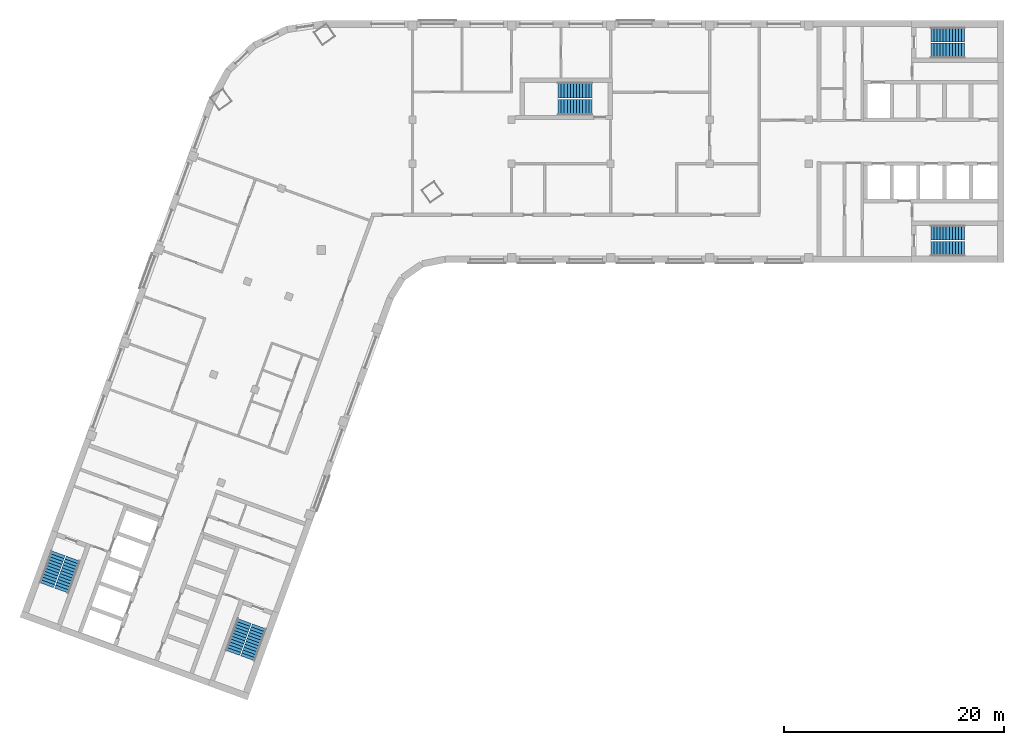
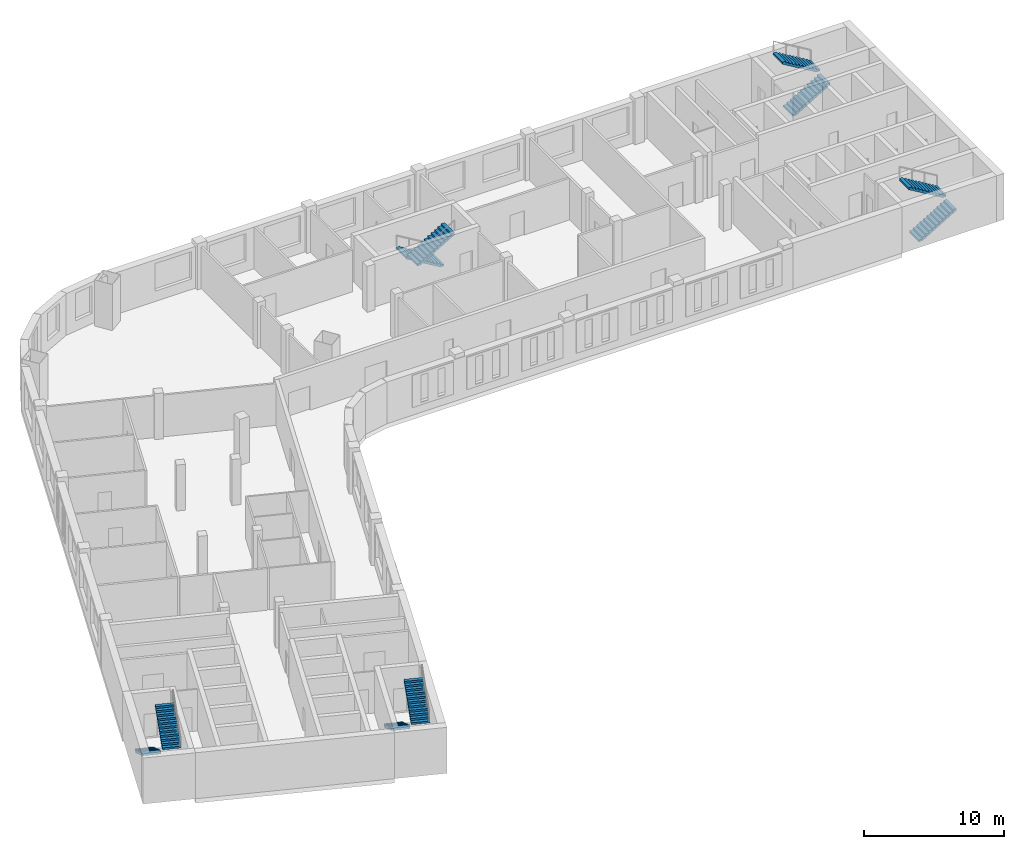
# One storey, part 7 of 8: 10 stair flights, 5 elements without a shape of their own.
"""IFC4 building model written with IfcOpenShell, lengths in metres."""

from ifc_helpers import new_model, si_unit, direction, frame, origin, place, context, subcontext, project, spatial, polyline, outline, extrude, material, type_object, element, aggregate, save


model = new_model("IFC4")

# Units and contexts
model_context = context("Model", 3, precision=1e-05, world=origin(), true_north=direction((0.0, 1.0)))
body_context = subcontext(model_context, "Body", "Model", "MODEL_VIEW")
ifc_project = project(units=[si_unit("LENGTHUNIT", "METRE"), si_unit("AREAUNIT", "SQUARE_METRE"), si_unit("VOLUMEUNIT", "CUBIC_METRE"), si_unit("PLANEANGLEUNIT", "RADIAN"), si_unit("MASSUNIT", "GRAM", prefix="KILO")], contexts=[model_context])

# Site, building, storey
site_placement = place(None, origin())
site = spatial("IfcSite", under=ifc_project, at=site_placement, CompositionType="ELEMENT")
building_placement = place(site_placement, origin())
building = spatial("IfcBuilding", under=site, at=building_placement, Name="Skarvind Civic Tower", CompositionType="ELEMENT")
storey_placement = place(building_placement, frame((0.0, 0.0, 162.5)))
storey = spatial("IfcBuildingStorey", under=building, at=storey_placement, Name="L38", CompositionType="ELEMENT", Elevation=162.5)

# Stair, stair flights
ifc_material = material(Name="Concrete C40/50", Category="concrete")
stair_type_1 = type_object("IfcStairType", Name="Exit stair 1450, half-turn, concrete", PredefinedType="HALF_TURN_STAIR", material=ifc_material)
stair_1_placement = place(storey_placement, origin())
stair_1 = element("IfcStair", 1, at=stair_1_placement, inside=storey, type_object=stair_type_1, Name="Exit stair CM", PredefinedType="HALF_TURN_STAIR")
stair_flight_type_1 = type_object("IfcStairFlightType", Name="Stair flight 1450, concrete", PredefinedType="STRAIGHT", material=ifc_material)
stair_flight_1_placement = place(storey_placement, frame((70.550048828125, 132.675048828125, 0.0), z_axis=(0.0, 0.0, 1.0), x_axis=(-1.0, 0.0, 0.0)))
stair_flight_1 = element("IfcStairFlight", 2, at=stair_flight_1_placement, type_object=stair_flight_type_1, Name="ST-CM flight 1", NumberOfRisers=12, NumberOfTreads=11, PredefinedType="STRAIGHT", RiserHeight=0.166666667, TreadLength=0.28, context=body_context, shape_type="SweptSolid", body=[
    extrude(outline(polyline([(0.0, 0.0), (0.0, 0.166748046875), (0.280029296875, 0.166748046875), (0.280029296875, 0.333251953125), (0.56005859375, 0.333251953125), (0.56005859375, 0.5), (0.840087890625, 0.5), (0.840087890625, 0.666748046875), (1.1201171875, 0.666748046875), (1.1201171875, 0.833251953125), (1.39990234375, 0.833251953125), (1.39990234375, 1.0), (1.679931640625, 1.0), (1.679931640625, 1.166748046875), (1.9599609375, 1.166748046875), (1.9599609375, 1.333251953125), (2.239990234375, 1.333251953125), (2.239990234375, 1.5), (2.52001953125, 1.5), (2.52001953125, 1.666748046875), (2.800048828125, 1.666748046875), (2.800048828125, 1.833251953125), (3.080078125, 1.833251953125), (3.080078125, 2.0), (3.080078125, 1.658935546875), (0.29296875, 0.0), (0.0, 0.0)])), frame((0.0, 0.72509765625, 0.0), z_axis=(0.0, -1.0, 0.0), x_axis=(1.0, 0.0, 0.0)), (0.0, 0.0, 1.0), 1.449951171875),
])
stair_flight_2_placement = place(storey_placement, frame((67.469970703125, 131.125, 2.0), z_axis=(0.0, 0.0, 1.0), x_axis=(1.0, 0.0, 0.0)))
stair_flight_2 = element("IfcStairFlight", 3, at=stair_flight_2_placement, type_object=stair_flight_type_1, Name="ST-CM flight 2", NumberOfRisers=12, NumberOfTreads=11, PredefinedType="STRAIGHT", RiserHeight=0.166666667, TreadLength=0.28, context=body_context, shape_type="SweptSolid", body=[
    extrude(outline(polyline([(0.0, 0.0), (0.0, 0.166748046875), (0.280029296875, 0.166748046875), (0.280029296875, 0.333251953125), (0.56005859375, 0.333251953125), (0.56005859375, 0.5), (0.840087890625, 0.5), (0.840087890625, 0.666748046875), (1.1201171875, 0.666748046875), (1.1201171875, 0.833251953125), (1.39990234375, 0.833251953125), (1.39990234375, 1.0), (1.679931640625, 1.0), (1.679931640625, 1.166748046875), (1.9599609375, 1.166748046875), (1.9599609375, 1.333251953125), (2.239990234375, 1.333251953125), (2.239990234375, 1.5), (2.52001953125, 1.5), (2.52001953125, 1.666748046875), (2.800048828125, 1.666748046875), (2.800048828125, 1.833251953125), (3.080078125, 1.833251953125), (3.080078125, 2.0), (3.080078125, 1.658935546875), (0.29296875, 0.0), (0.0, 0.0)])), frame((0.0, 0.72509765625, 0.0), z_axis=(0.0, -1.0, 0.0), x_axis=(1.0, 0.0, 0.0)), (0.0, 0.0, 1.0), 1.449951171875),
])
aggregate(stair_1, [stair_flight_1, stair_flight_2])

stair_type_2 = type_object("IfcStairType", Name="Exit stair, half-turn, concrete", PredefinedType="HALF_TURN_STAIR", material=ifc_material)
stair_2_placement = place(storey_placement, origin())
stair_2 = element("IfcStair", 4, at=stair_2_placement, inside=storey, type_object=stair_type_2, Name="Exit stair C1S", PredefinedType="HALF_TURN_STAIR")
stair_flight_type_2 = type_object("IfcStairFlightType", Name="Stair flight, concrete", PredefinedType="STRAIGHT", material=ifc_material)
stair_flight_3_placement = place(storey_placement, frame((101.35009765625, 136.27490234375, 0.0), z_axis=(0.0, 0.0, 1.0), x_axis=(1.0, 0.0, 0.0)))
stair_flight_3 = element("IfcStairFlight", 5, at=stair_flight_3_placement, type_object=stair_flight_type_2, Name="ST-C1S flight 1", NumberOfRisers=12, NumberOfTreads=11, PredefinedType="STRAIGHT", RiserHeight=0.166666667, TreadLength=0.28, context=body_context, shape_type="SweptSolid", body=[
    extrude(outline(polyline([(0.0, 0.0), (0.0, 0.166748046875), (0.280029296875, 0.166748046875), (0.280029296875, 0.333251953125), (0.56005859375, 0.333251953125), (0.56005859375, 0.5), (0.840087890625, 0.5), (0.840087890625, 0.666748046875), (1.1201171875, 0.666748046875), (1.1201171875, 0.833251953125), (1.39990234375, 0.833251953125), (1.39990234375, 1.0), (1.679931640625, 1.0), (1.679931640625, 1.166748046875), (1.9599609375, 1.166748046875), (1.9599609375, 1.333251953125), (2.239990234375, 1.333251953125), (2.239990234375, 1.5), (2.52001953125, 1.5), (2.52001953125, 1.666748046875), (2.800048828125, 1.666748046875), (2.800048828125, 1.833251953125), (3.080078125, 1.833251953125), (3.080078125, 2.0), (3.080078125, 1.658935546875), (0.29296875, 0.0), (0.0, 0.0)])), frame((0.0, 0.675048828125, 0.0), z_axis=(0.0, -1.0, 0.0), x_axis=(1.0, 0.0, 0.0)), (0.0, 0.0, 1.0), 1.35009765625),
])
stair_flight_4_placement = place(storey_placement, frame((104.429931640625, 137.72509765625, 2.0), z_axis=(0.0, 0.0, 1.0), x_axis=(-1.0, 0.0, 0.0)))
stair_flight_4 = element("IfcStairFlight", 6, at=stair_flight_4_placement, type_object=stair_flight_type_2, Name="ST-C1S flight 2", NumberOfRisers=12, NumberOfTreads=11, PredefinedType="STRAIGHT", RiserHeight=0.166666667, TreadLength=0.28, context=body_context, shape_type="SweptSolid", body=[
    extrude(outline(polyline([(0.0, 0.0), (0.0, 0.166748046875), (0.280029296875, 0.166748046875), (0.280029296875, 0.333251953125), (0.56005859375, 0.333251953125), (0.56005859375, 0.5), (0.840087890625, 0.5), (0.840087890625, 0.666748046875), (1.1201171875, 0.666748046875), (1.1201171875, 0.833251953125), (1.39990234375, 0.833251953125), (1.39990234375, 1.0), (1.679931640625, 1.0), (1.679931640625, 1.166748046875), (1.9599609375, 1.166748046875), (1.9599609375, 1.333251953125), (2.239990234375, 1.333251953125), (2.239990234375, 1.5), (2.52001953125, 1.5), (2.52001953125, 1.666748046875), (2.800048828125, 1.666748046875), (2.800048828125, 1.833251953125), (3.080078125, 1.833251953125), (3.080078125, 2.0), (3.080078125, 1.658935546875), (0.29296875, 0.0), (0.0, 0.0)])), frame((0.0, 0.675048828125, 0.0), z_axis=(0.0, -1.0, 0.0), x_axis=(1.0, 0.0, 0.0)), (0.0, 0.0, 1.0), 1.35009765625),
])
aggregate(stair_2, [stair_flight_3, stair_flight_4])

stair_3_placement = place(storey_placement, origin())
stair_3 = element("IfcStair", 7, at=stair_3_placement, inside=storey, type_object=stair_type_2, Name="Exit stair C1N", PredefinedType="HALF_TURN_STAIR")
stair_flight_5_placement = place(storey_placement, frame((101.35009765625, 118.27490234375, 0.0), z_axis=(0.0, 0.0, 1.0), x_axis=(1.0, 0.0, 0.0)))
stair_flight_5 = element("IfcStairFlight", 8, at=stair_flight_5_placement, type_object=stair_flight_type_2, Name="ST-C1N flight 1", NumberOfRisers=12, NumberOfTreads=11, PredefinedType="STRAIGHT", RiserHeight=0.166666667, TreadLength=0.28, context=body_context, shape_type="SweptSolid", body=[
    extrude(outline(polyline([(0.0, 0.0), (0.0, 0.166748046875), (0.280029296875, 0.166748046875), (0.280029296875, 0.333251953125), (0.56005859375, 0.333251953125), (0.56005859375, 0.5), (0.840087890625, 0.5), (0.840087890625, 0.666748046875), (1.1201171875, 0.666748046875), (1.1201171875, 0.833251953125), (1.39990234375, 0.833251953125), (1.39990234375, 1.0), (1.679931640625, 1.0), (1.679931640625, 1.166748046875), (1.9599609375, 1.166748046875), (1.9599609375, 1.333251953125), (2.239990234375, 1.333251953125), (2.239990234375, 1.5), (2.52001953125, 1.5), (2.52001953125, 1.666748046875), (2.800048828125, 1.666748046875), (2.800048828125, 1.833251953125), (3.080078125, 1.833251953125), (3.080078125, 2.0), (3.080078125, 1.658935546875), (0.29296875, 0.0), (0.0, 0.0)])), frame((0.0, 0.675048828125, 0.0), z_axis=(0.0, -1.0, 0.0), x_axis=(1.0, 0.0, 0.0)), (0.0, 0.0, 1.0), 1.35009765625),
])
stair_flight_6_placement = place(storey_placement, frame((104.429931640625, 119.72509765625, 2.0), z_axis=(0.0, 0.0, 1.0), x_axis=(-1.0, 0.0, 0.0)))
stair_flight_6 = element("IfcStairFlight", 9, at=stair_flight_6_placement, type_object=stair_flight_type_2, Name="ST-C1N flight 2", NumberOfRisers=12, NumberOfTreads=11, PredefinedType="STRAIGHT", RiserHeight=0.166666667, TreadLength=0.28, context=body_context, shape_type="SweptSolid", body=[
    extrude(outline(polyline([(0.0, 0.0), (0.0, 0.166748046875), (0.280029296875, 0.166748046875), (0.280029296875, 0.333251953125), (0.56005859375, 0.333251953125), (0.56005859375, 0.5), (0.840087890625, 0.5), (0.840087890625, 0.666748046875), (1.1201171875, 0.666748046875), (1.1201171875, 0.833251953125), (1.39990234375, 0.833251953125), (1.39990234375, 1.0), (1.679931640625, 1.0), (1.679931640625, 1.166748046875), (1.9599609375, 1.166748046875), (1.9599609375, 1.333251953125), (2.239990234375, 1.333251953125), (2.239990234375, 1.5), (2.52001953125, 1.5), (2.52001953125, 1.666748046875), (2.800048828125, 1.666748046875), (2.800048828125, 1.833251953125), (3.080078125, 1.833251953125), (3.080078125, 2.0), (3.080078125, 1.658935546875), (0.29296875, 0.0), (0.0, 0.0)])), frame((0.0, 0.675048828125, 0.0), z_axis=(0.0, -1.0, 0.0), x_axis=(1.0, 0.0, 0.0)), (0.0, 0.0, 1.0), 1.35009765625),
])
aggregate(stair_3, [stair_flight_5, stair_flight_6])

stair_4_placement = place(storey_placement, origin())
stair_4 = element("IfcStair", 10, at=stair_4_placement, inside=storey, type_object=stair_type_2, Name="Exit stair C2S", PredefinedType="HALF_TURN_STAIR")
stair_flight_7_placement = place(storey_placement, frame((38.949462890625, 84.43408203125, 0.0), z_axis=(0.0, 0.0, 1.0), x_axis=(-0.342020143326, -0.939692620786, 0.0)))
stair_flight_7 = element("IfcStairFlight", 11, at=stair_flight_7_placement, type_object=stair_flight_type_2, Name="ST-C2S flight 1", NumberOfRisers=12, NumberOfTreads=11, PredefinedType="STRAIGHT", RiserHeight=0.166666667, TreadLength=0.28, context=body_context, shape_type="SweptSolid", body=[
    extrude(outline(polyline([(0.0, 0.0), (0.0, 0.166748046875), (0.280029296875, 0.166748046875), (0.280029296875, 0.333251953125), (0.56005859375, 0.333251953125), (0.56005859375, 0.5), (0.840087890625, 0.5), (0.840087890625, 0.666748046875), (1.1201171875, 0.666748046875), (1.1201171875, 0.833251953125), (1.39990234375, 0.833251953125), (1.39990234375, 1.0), (1.679931640625, 1.0), (1.679931640625, 1.166748046875), (1.9599609375, 1.166748046875), (1.9599609375, 1.333251953125), (2.239990234375, 1.333251953125), (2.239990234375, 1.5), (2.52001953125, 1.5), (2.52001953125, 1.666748046875), (2.800048828125, 1.666748046875), (2.800048828125, 1.833251953125), (3.080078125, 1.833251953125), (3.080078125, 2.0), (3.080078125, 1.658935546875), (0.29296875, 0.0), (0.0, 0.0)])), frame((0.0, 0.675048828125, 0.0), z_axis=(0.0, -1.0, 0.0), x_axis=(1.0, 0.0, 0.0)), (0.0, 0.0, 1.0), 1.35009765625),
])
stair_flight_8_placement = place(storey_placement, frame((39.258544921875, 81.0439453125, 2.0), z_axis=(0.0, 0.0, 1.0), x_axis=(0.342020143326, 0.939692620786, 0.0)))
stair_flight_8 = element("IfcStairFlight", 12, at=stair_flight_8_placement, type_object=stair_flight_type_2, Name="ST-C2S flight 2", NumberOfRisers=12, NumberOfTreads=11, PredefinedType="STRAIGHT", RiserHeight=0.166666667, TreadLength=0.28, context=body_context, shape_type="SweptSolid", body=[
    extrude(outline(polyline([(0.0, 0.0), (0.0, 0.166748046875), (0.280029296875, 0.166748046875), (0.280029296875, 0.333251953125), (0.56005859375, 0.333251953125), (0.56005859375, 0.5), (0.840087890625, 0.5), (0.840087890625, 0.666748046875), (1.1201171875, 0.666748046875), (1.1201171875, 0.833251953125), (1.39990234375, 0.833251953125), (1.39990234375, 1.0), (1.679931640625, 1.0), (1.679931640625, 1.166748046875), (1.9599609375, 1.166748046875), (1.9599609375, 1.333251953125), (2.239990234375, 1.333251953125), (2.239990234375, 1.5), (2.52001953125, 1.5), (2.52001953125, 1.666748046875), (2.800048828125, 1.666748046875), (2.800048828125, 1.833251953125), (3.080078125, 1.833251953125), (3.080078125, 2.0), (3.080078125, 1.658935546875), (0.29296875, 0.0), (0.0, 0.0)])), frame((0.0, 0.675048828125, 0.0), z_axis=(0.0, -1.0, 0.0), x_axis=(1.0, 0.0, 0.0)), (0.0, 0.0, 1.0), 1.35009765625),
])
aggregate(stair_4, [stair_flight_7, stair_flight_8])

stair_5_placement = place(storey_placement, origin())
stair_5 = element("IfcStair", 13, at=stair_5_placement, inside=storey, type_object=stair_type_2, Name="Exit stair C2N", PredefinedType="HALF_TURN_STAIR")
stair_flight_9_placement = place(storey_placement, frame((22.034912109375, 90.590576171875, 0.0), z_axis=(0.0, 0.0, 1.0), x_axis=(-0.342020143326, -0.939692620786, 0.0)))
stair_flight_9 = element("IfcStairFlight", 14, at=stair_flight_9_placement, type_object=stair_flight_type_2, Name="ST-C2N flight 1", NumberOfRisers=12, NumberOfTreads=11, PredefinedType="STRAIGHT", RiserHeight=0.166666667, TreadLength=0.28, context=body_context, shape_type="SweptSolid", body=[
    extrude(outline(polyline([(0.0, 0.0), (0.0, 0.166748046875), (0.280029296875, 0.166748046875), (0.280029296875, 0.333251953125), (0.56005859375, 0.333251953125), (0.56005859375, 0.5), (0.840087890625, 0.5), (0.840087890625, 0.666748046875), (1.1201171875, 0.666748046875), (1.1201171875, 0.833251953125), (1.39990234375, 0.833251953125), (1.39990234375, 1.0), (1.679931640625, 1.0), (1.679931640625, 1.166748046875), (1.9599609375, 1.166748046875), (1.9599609375, 1.333251953125), (2.239990234375, 1.333251953125), (2.239990234375, 1.5), (2.52001953125, 1.5), (2.52001953125, 1.666748046875), (2.800048828125, 1.666748046875), (2.800048828125, 1.833251953125), (3.080078125, 1.833251953125), (3.080078125, 2.0), (3.080078125, 1.658935546875), (0.29296875, 0.0), (0.0, 0.0)])), frame((0.0, 0.675048828125, 0.0), z_axis=(0.0, -1.0, 0.0), x_axis=(1.0, 0.0, 0.0)), (0.0, 0.0, 1.0), 1.35009765625),
])
stair_flight_10_placement = place(storey_placement, frame((22.343994140625, 87.2001953125, 2.0), z_axis=(0.0, 0.0, 1.0), x_axis=(0.342020143326, 0.939692620786, 0.0)))
stair_flight_10 = element("IfcStairFlight", 15, at=stair_flight_10_placement, type_object=stair_flight_type_2, Name="ST-C2N flight 2", NumberOfRisers=12, NumberOfTreads=11, PredefinedType="STRAIGHT", RiserHeight=0.166666667, TreadLength=0.28, context=body_context, shape_type="SweptSolid", body=[
    extrude(outline(polyline([(0.0, 0.0), (0.0, 0.166748046875), (0.280029296875, 0.166748046875), (0.280029296875, 0.333251953125), (0.56005859375, 0.333251953125), (0.56005859375, 0.5), (0.840087890625, 0.5), (0.840087890625, 0.666748046875), (1.1201171875, 0.666748046875), (1.1201171875, 0.833251953125), (1.39990234375, 0.833251953125), (1.39990234375, 1.0), (1.679931640625, 1.0), (1.679931640625, 1.166748046875), (1.9599609375, 1.166748046875), (1.9599609375, 1.333251953125), (2.239990234375, 1.333251953125), (2.239990234375, 1.5), (2.52001953125, 1.5), (2.52001953125, 1.666748046875), (2.800048828125, 1.666748046875), (2.800048828125, 1.833251953125), (3.080078125, 1.833251953125), (3.080078125, 2.0), (3.080078125, 1.658935546875), (0.29296875, 0.0), (0.0, 0.0)])), frame((0.0, 0.675048828125, 0.0), z_axis=(0.0, -1.0, 0.0), x_axis=(1.0, 0.0, 0.0)), (0.0, 0.0, 1.0), 1.35009765625),
])
aggregate(stair_5, [stair_flight_9, stair_flight_10])

save(model, "model.ifc")
